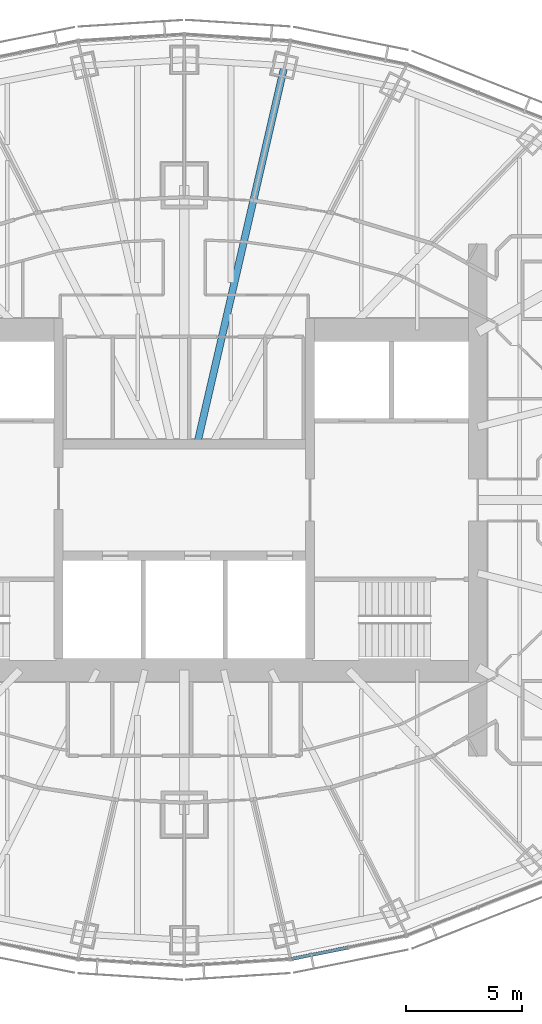
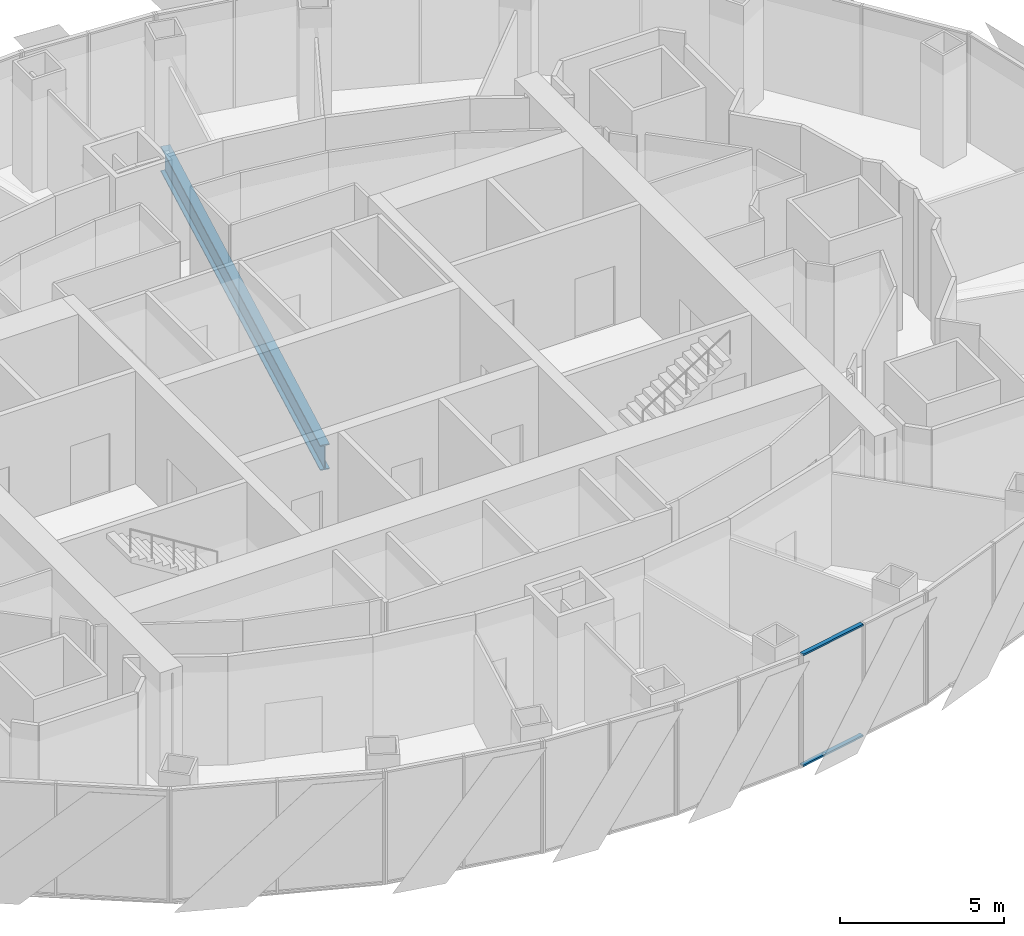
# One storey, part 5 of 19: 2 members, 1 beam, 1 element without a shape of its own.
"""IFC4 building model written with IfcOpenShell, lengths in metres."""

from ifc_helpers import new_model, si_unit, direction, frame, origin, origin_2d, place, context, subcontext, project, spatial, rectangle, i_section, extrude, material, material_profile, profile_set, type_object, element, aggregate, save


model = new_model("IFC4")

# Units and contexts
model_context = context("Model", 3, precision=1e-05, world=origin(), true_north=direction((0.0, 1.0)))
body_context = subcontext(model_context, "Body", "Model", "MODEL_VIEW")
ifc_project = project(units=[si_unit("LENGTHUNIT", "METRE"), si_unit("AREAUNIT", "SQUARE_METRE"), si_unit("VOLUMEUNIT", "CUBIC_METRE"), si_unit("PLANEANGLEUNIT", "RADIAN"), si_unit("MASSUNIT", "GRAM", prefix="KILO")], contexts=[model_context])

# Site, building, storey
site_placement = place(None, origin())
site = spatial("IfcSite", under=ifc_project, at=site_placement, CompositionType="ELEMENT")
building_placement = place(site_placement, origin())
building = spatial("IfcBuilding", under=site, at=building_placement, Name="Lantaw Convention Tower", CompositionType="ELEMENT")
storey_placement = place(building_placement, frame((0.0, 0.0, 253.60009765625)))
storey = spatial("IfcBuildingStorey", under=building, at=storey_placement, Name="L59", CompositionType="ELEMENT", Elevation=253.60009765625)

# Beam
ifc_material_1 = material(Name="Steel ASTM A992", Category="steel")
ifc_material_profile_1 = material_profile(ifc_material_1, i_section(OverallWidth=0.307373046875, OverallDepth=0.9423828125, WebThickness=0.022216796875, FlangeThickness=0.039794921875, FilletRadius=0.0126953125, at=origin_2d()), Name="W36X232")
ifc_profile_set_1 = profile_set([ifc_material_profile_1], Name="Steel ASTM A992")
beam_type = type_object("IfcBeamType", Name="Beam G W36X232", PredefinedType="BEAM", material=ifc_profile_set_1)
beam_placement = place(storey_placement, frame((0.55419921875, 2.39990234375, -0.621337890625), z_axis=(0.224948287002, 0.974370703672, 0.0), x_axis=(-0.974370703672, 0.224948287002, 0.0)))
element("IfcBeam", 1, at=beam_placement, inside=storey, type_object=beam_type, Name="Floor girder on ray 6", PredefinedType="BEAM", context=body_context, shape_type="SweptSolid", body=[
    extrude(i_section(OverallWidth=0.307373046875, OverallDepth=0.9423828125, WebThickness=0.022216796875, FlangeThickness=0.039794921875, FilletRadius=0.0126953125, at=origin_2d()), origin(), (0.0, 0.0, 1.0), 16.66943359375),
])

# Curtain wall, members
ifc_material_2 = material(Name="Aluminium framed curtain wall", Category="aluminium")
curtain_wall_type = type_object("IfcCurtainWallType", Name="Office curtain wall high rise, pale aluminium", PredefinedType="USERDEFINED", material=ifc_material_2)
curtain_wall_placement = place(storey_placement, origin())
curtain_wall = element("IfcCurtainWall", 2, at=curtain_wall_placement, inside=storey, type_object=curtain_wall_type, Name="Office curtain wall high rise, pale aluminium L59", ObjectType="UNITISED CURTAIN WALL", PredefinedType="USERDEFINED")
ifc_material_3 = material(Name="Aluminium 6063-T6", Category="aluminium")
ifc_material_profile_2 = material_profile(ifc_material_3, rectangle(XDim=0.14990234375, YDim=0.06494140625, at=origin_2d()), Name="CW-O2 transom 65x150")
ifc_profile_set_2 = profile_set([ifc_material_profile_2], Name="Aluminium 6063-T6")
member_type = type_object("IfcMemberType", Name="CW-O2 transom 65x150", PredefinedType="USERDEFINED", material=ifc_profile_set_2)
member_1_placement = place(storey_placement, frame((4.614990234375, -19.700927734375, -0.11767578125), z_axis=(0.980380354178, 0.197115096178, 0.0), x_axis=(-0.197115096178, 0.980380354178, 0.0)))
member_1 = element("IfcMember", 3, at=member_1_placement, type_object=member_type, Name="CW-O2 transom 1.1", ObjectType="TRANSOM", PredefinedType="USERDEFINED", context=body_context, shape_type="SweptSolid", body=[
    extrude(rectangle(XDim=0.14990234375, YDim=0.06494140625, at=origin_2d()), origin(), (0.0, 0.0, 1.0), 2.443603515625),
])
member_2_placement = place(storey_placement, frame((4.614990234375, -19.700927734375, 4.017333984375), z_axis=(0.980380354178, 0.197115096178, 0.0), x_axis=(-0.197115096178, 0.980380354178, 0.0)))
member_2 = element("IfcMember", 4, at=member_2_placement, type_object=member_type, Name="CW-O2 transom 1.2", ObjectType="TRANSOM", PredefinedType="USERDEFINED", context=body_context, shape_type="SweptSolid", body=[
    extrude(rectangle(XDim=0.14990234375, YDim=0.06494140625, at=origin_2d()), origin(), (0.0, 0.0, 1.0), 2.443603515625),
])
aggregate(curtain_wall, [member_1, member_2])

save(model, "model.ifc")
